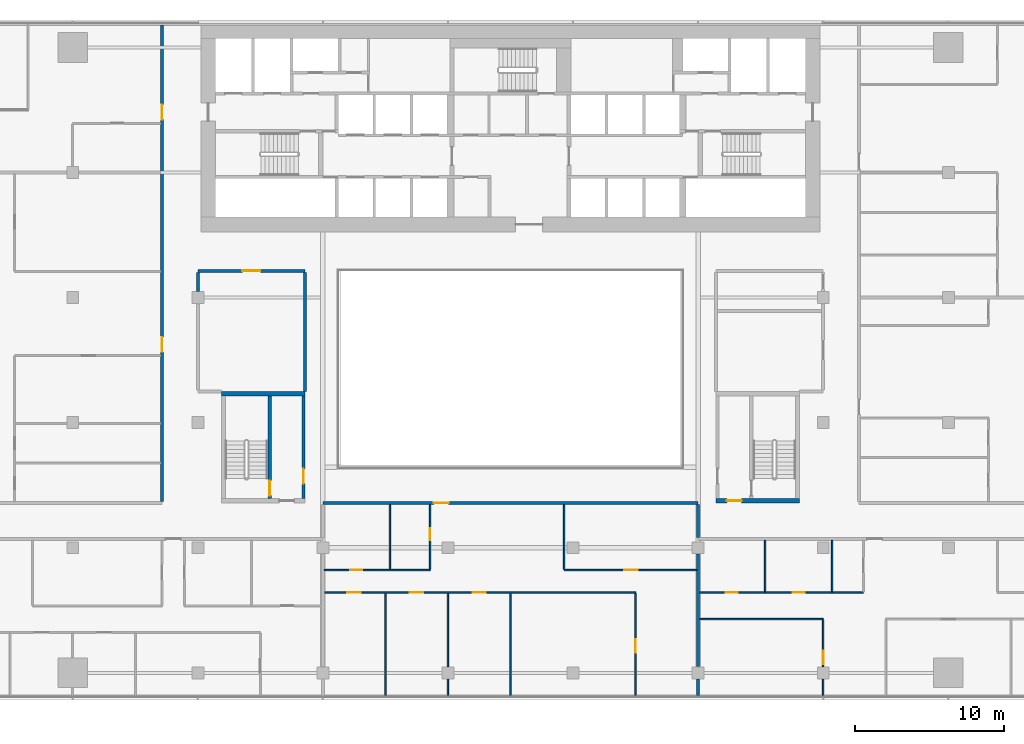
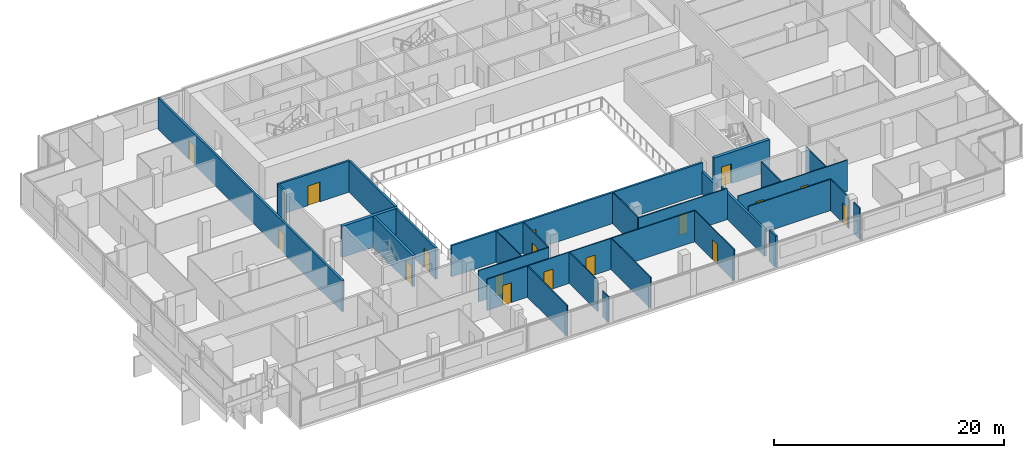
# One storey, part 17 of 27: 29 walls, 17 doors, 17 openings.
"""IFC4 building model written with IfcOpenShell, lengths in metres."""

from ifc_helpers import new_model, si_unit, direction, frame, frame_2d, origin, place, context, subcontext, project, spatial, rectangle, extrude, material, layer, layer_set, type_object, element, fill, save


model = new_model("IFC4")

# Units and contexts
model_context = context("Model", 3, precision=1e-05, world=origin(), true_north=direction((0.0, 1.0)))
body_context = subcontext(model_context, "Body", "Model", "MODEL_VIEW")
ifc_project = project(units=[si_unit("LENGTHUNIT", "METRE"), si_unit("AREAUNIT", "SQUARE_METRE"), si_unit("VOLUMEUNIT", "CUBIC_METRE"), si_unit("PLANEANGLEUNIT", "RADIAN"), si_unit("MASSUNIT", "GRAM", prefix="KILO")], contexts=[model_context])

# Site, building, storey
site_placement = place(None, origin())
site = spatial("IfcSite", under=ifc_project, at=site_placement, CompositionType="ELEMENT")
building_placement = place(site_placement, origin())
building = spatial("IfcBuilding", under=site, at=building_placement, Name="Saffron Gate Tower", CompositionType="ELEMENT")
storey_placement = place(building_placement, frame((0.0, 0.0, 134.85009765625)))
storey = spatial("IfcBuildingStorey", under=building, at=storey_placement, Name="L32", CompositionType="ELEMENT", Elevation=134.85009765625)

# Wall, opening, door
ifc_material_1 = material(Name="Gypsum board partition on steel studs", Category="steel")
ifc_layer_1 = layer(ifc_material_1, 0.199951171875)
ifc_layer_set_1 = layer_set([ifc_layer_1], Name="CW10 Core partition 200")
wall_type_1 = type_object("IfcWallType", Name="CW10 Core partition 200", PredefinedType="PARTITIONING", material=ifc_layer_set_1)
wall_1_placement = place(storey_placement, frame((73.699951171875, 43.5, 0.0), z_axis=(0.0, 0.0, 1.0), x_axis=(0.0, 1.0, 0.0)))
wall_1 = element("IfcWall", 1, at=wall_1_placement, inside=storey, type_object=wall_type_1, Name="Wall CW10-L32-D-4", PredefinedType="PARTITIONING", context=body_context, shape_type="SweptSolid", body=[
    extrude(rectangle(XDim=6.89990234375, YDim=0.199951171875, at=frame_2d((3.449951171875, 0.0))), origin(), (0.0, 0.0, 1.0), 3.31982421875),
])
opening_1_placement = place(wall_1_placement, frame((1.0, 0.0, 0.0)))
opening_1 = element("IfcOpeningElement", 2, at=opening_1_placement, cuts=wall_1, Name="Opening CR-19", PredefinedType="OPENING", context=body_context, shape_type="SweptSolid", body=[
    extrude(rectangle(XDim=1.0, YDim=2.10009765625, at=frame_2d((0.5, 1.050048828125))), frame((0.0, 0.10986328125, 0.0), z_axis=(0.0, -1.0, 0.0), x_axis=(1.0, 0.0, 0.0)), (0.0, 0.0, 1.0), 0.219970703125),
])
ifc_material_2 = material(Name="Steel fire door set", Category="steel")
door_type_1 = type_object("IfcDoorType", Name="CD4 Lobby door 1000x2100 EI 120", OperationType="NOTDEFINED", PredefinedType="DOOR", material=ifc_material_2)
door_1_placement = place(opening_1_placement, origin())
door_1 = element("IfcDoor", 3, at=door_1_placement, inside=storey, type_object=door_type_1, Name="DOOR CR-19", OperationType="SINGLE_SWING_RIGHT", OverallHeight=2.10009765625, OverallWidth=1.0, PredefinedType="DOOR", context=body_context, shape_type="SweptSolid", body=[
    extrude(rectangle(XDim=1.0, YDim=2.10009765625, at=frame_2d((0.5, 1.050048828125))), frame((0.0, 0.02490234375, 0.0), z_axis=(0.0, -1.0, 0.0), x_axis=(1.0, 0.0, 0.0)), (0.0, 0.0, 1.0), 0.050048828125),
])
fill(opening_1, door_1)

ifc_material_3 = material(Name="Concrete C70", Category="concrete")
ifc_layer_2 = layer(ifc_material_3, 0.25)
ifc_layer_set_2 = layer_set([ifc_layer_2], Name="CW2 RC core wall 250 C70")
wall_type_2 = type_object("IfcWallType", Name="CW2 RC core wall 250 C70", PredefinedType="SOLIDWALL", material=ifc_layer_set_2)
wall_2_placement = place(storey_placement, frame((71.425048828125, 43.5, 0.0), z_axis=(0.0, 0.0, 1.0), x_axis=(0.0, 1.0, 0.0)))
wall_2 = element("IfcWall", 4, at=wall_2_placement, inside=storey, type_object=wall_type_2, Name="Wall CW2-L32-D-3", PredefinedType="SOLIDWALL", context=body_context, shape_type="SweptSolid", body=[
    extrude(rectangle(XDim=6.89990234375, YDim=0.25, at=frame_2d((3.449951171875, 0.0))), origin(), (0.0, 0.0, 1.0), 3.31982421875),
])
opening_2_placement = place(wall_2_placement, frame((0.199951171875, 0.0, 0.0)))
opening_2 = element("IfcOpeningElement", 5, at=opening_2_placement, cuts=wall_2, Name="Opening CR-20", PredefinedType="OPENING", context=body_context, shape_type="SweptSolid", body=[
    extrude(rectangle(XDim=1.0, YDim=2.10009765625, at=frame_2d((0.5, 1.050048828125))), frame((0.0, 0.135009765625, 0.0), z_axis=(0.0, -1.0, 0.0), x_axis=(1.0, 0.0, 0.0)), (0.0, 0.0, 1.0), 0.27001953125),
])
door_type_2 = type_object("IfcDoorType", Name="CD5 Stair door 1000x2100 EI 120", OperationType="NOTDEFINED", PredefinedType="DOOR", material=ifc_material_2)
door_2_placement = place(opening_2_placement, origin())
door_2 = element("IfcDoor", 6, at=door_2_placement, inside=storey, type_object=door_type_2, Name="DOOR CR-20", OperationType="SINGLE_SWING_LEFT", OverallHeight=2.10009765625, OverallWidth=1.0, PredefinedType="DOOR", context=body_context, shape_type="SweptSolid", body=[
    extrude(rectangle(XDim=1.0, YDim=2.10009765625, at=frame_2d((0.5, 1.050048828125))), frame((0.0, 0.02490234375, 0.0), z_axis=(0.0, -1.0, 0.0), x_axis=(1.0, 0.0, 0.0)), (0.0, 0.0, 1.0), 0.050048828125),
])
fill(opening_2, door_2)

# Wall
ifc_layer_3 = layer(ifc_material_3, 0.300048828125)
ifc_layer_set_3 = layer_set([ifc_layer_3], Name="CW5 RC core wall 300 C70")
wall_type_3 = type_object("IfcWallType", Name="CW5 RC core wall 300 C70", PredefinedType="SOLIDWALL", material=ifc_layer_set_3)
wall_3_placement = place(storey_placement, frame((68.199951171875, 50.550048828125, 0.0), z_axis=(0.0, 0.0, 1.0), x_axis=(1.0, 0.0, 0.0)))
element("IfcWall", 7, at=wall_3_placement, inside=storey, type_object=wall_type_3, Name="Wall CW5-L32-D-5", PredefinedType="SOLIDWALL", context=body_context, shape_type="SweptSolid", body=[
    extrude(rectangle(XDim=5.60009765625, YDim=0.300048828125, at=frame_2d((2.800048828125, 0.0))), origin(), (0.0, 0.0, 1.0), 3.31982421875),
])

# Wall, opening, door
wall_4_placement = place(storey_placement, frame((101.39990234375, 43.35009765625, 0.0), z_axis=(0.0, 0.0, 1.0), x_axis=(1.0, 0.0, 0.0)))
wall_4 = element("IfcWall", 8, at=wall_4_placement, inside=storey, type_object=wall_type_3, Name="Wall CW5-L32-E-1", PredefinedType="SOLIDWALL", context=body_context, shape_type="SweptSolid", body=[
    extrude(rectangle(XDim=5.60009765625, YDim=0.300048828125, at=frame_2d((2.800048828125, 0.0))), origin(), (0.0, 0.0, 1.0), 3.31982421875),
])
opening_3_placement = place(wall_4_placement, frame((0.72509765625, 0.0, 0.0)))
opening_3 = element("IfcOpeningElement", 9, at=opening_3_placement, cuts=wall_4, Name="Opening CR-21", PredefinedType="OPENING", context=body_context, shape_type="SweptSolid", body=[
    extrude(rectangle(XDim=1.0, YDim=2.10009765625, at=frame_2d((0.5, 1.050048828125))), frame((0.0, 0.16015625, 0.0), z_axis=(0.0, -1.0, 0.0), x_axis=(1.0, 0.0, 0.0)), (0.0, 0.0, 1.0), 0.320068359375),
])
door_3_placement = place(opening_3_placement, origin())
door_3 = element("IfcDoor", 10, at=door_3_placement, inside=storey, type_object=door_type_1, Name="DOOR CR-21", OperationType="SINGLE_SWING_RIGHT", OverallHeight=2.10009765625, OverallWidth=1.0, PredefinedType="DOOR", context=body_context, shape_type="SweptSolid", body=[
    extrude(rectangle(XDim=1.0, YDim=2.10009765625, at=frame_2d((0.5, 1.050048828125))), frame((0.0, 0.02490234375, 0.0), z_axis=(0.0, -1.0, 0.0), x_axis=(1.0, 0.0, 0.0)), (0.0, 0.0, 1.0), 0.050048828125),
])
fill(opening_3, door_3)

# Wall
ifc_material_4 = material(Name="Plasterboard on steel studs", Category="steel")
ifc_layer_4 = layer(ifc_material_4, 0.10009765625)
ifc_layer_set_4 = layer_set([ifc_layer_4], Name="PW1 Partition 100")
wall_type_4 = type_object("IfcWallType", Name="PW1 Partition 100", PredefinedType="PARTITIONING", material=ifc_layer_set_4)
wall_5_placement = place(storey_placement, frame((100.300048828125, 35.39990234375, 0.0), z_axis=(0.0, 0.0, 1.0), x_axis=(1.0, 0.0, 0.0)))
element("IfcWall", 11, at=wall_5_placement, inside=storey, type_object=wall_type_4, Name="Partition B4-2", PredefinedType="PARTITIONING", context=body_context, shape_type="SweptSolid", body=[
    extrude(rectangle(XDim=8.300048828125, YDim=0.10009765625, at=frame_2d((4.14990234375, 0.0))), origin(), (0.0, 0.0, 1.0), 3.31982421875),
])

# Wall, openings, doors
wall_6_placement = place(storey_placement, frame((96.0, 37.199951171875, 0.0), z_axis=(0.0, 0.0, 1.0), x_axis=(-1.0, 0.0, 0.0)))
wall_6 = element("IfcWall", 12, at=wall_6_placement, inside=storey, type_object=wall_type_4, Name="Partition B4-6", PredefinedType="PARTITIONING", context=body_context, shape_type="SweptSolid", body=[
    extrude(rectangle(XDim=20.89990234375, YDim=0.10009765625, at=frame_2d((10.449951171875, 0.0))), origin(), (0.0, 0.0, 1.0), 3.31982421875),
])
opening_4_placement = place(wall_6_placement, frame((10.050048828125, 0.0, 0.0)))
opening_4 = element("IfcOpeningElement", 13, at=opening_4_placement, cuts=wall_6, Name="Opening B4-15", PredefinedType="OPENING", context=body_context, shape_type="SweptSolid", body=[
    extrude(rectangle(XDim=0.89990234375, YDim=2.10009765625, at=frame_2d((0.449951171875, 1.050048828125))), frame((0.0, 0.06005859375, 0.0), z_axis=(0.0, -1.0, 0.0), x_axis=(1.0, 0.0, 0.0)), (0.0, 0.0, 1.0), 0.1201171875),
])
opening_5_placement = place(wall_6_placement, frame((14.25, 0.0, 0.0)))
opening_5 = element("IfcOpeningElement", 14, at=opening_5_placement, cuts=wall_6, Name="Opening B4-14", PredefinedType="OPENING", context=body_context, shape_type="SweptSolid", body=[
    extrude(rectangle(XDim=0.89990234375, YDim=2.10009765625, at=frame_2d((0.449951171875, 1.050048828125))), frame((0.0, 0.06005859375, 0.0), z_axis=(0.0, -1.0, 0.0), x_axis=(1.0, 0.0, 0.0)), (0.0, 0.0, 1.0), 0.1201171875),
])
opening_6_placement = place(wall_6_placement, frame((18.449951171875, 0.0, 0.0)))
opening_6 = element("IfcOpeningElement", 15, at=opening_6_placement, cuts=wall_6, Name="Opening B4-13", PredefinedType="OPENING", context=body_context, shape_type="SweptSolid", body=[
    extrude(rectangle(XDim=0.89990234375, YDim=2.10009765625, at=frame_2d((0.449951171875, 1.050048828125))), frame((0.0, 0.06005859375, 0.0), z_axis=(0.0, -1.0, 0.0), x_axis=(1.0, 0.0, 0.0)), (0.0, 0.0, 1.0), 0.1201171875),
])
ifc_material_5 = material(Name="Timber door set", Category="wood")
door_type_3 = type_object("IfcDoorType", Name="RD1 Room door 900x2100", OperationType="NOTDEFINED", PredefinedType="DOOR", material=ifc_material_5)
door_4_placement = place(opening_4_placement, origin())
door_4 = element("IfcDoor", 16, at=door_4_placement, inside=storey, type_object=door_type_3, Name="Door B4-15", OperationType="SINGLE_SWING_RIGHT", OverallHeight=2.10009765625, OverallWidth=0.89990234375, PredefinedType="DOOR", context=body_context, shape_type="SweptSolid", body=[
    extrude(rectangle(XDim=0.89990234375, YDim=2.10009765625, at=frame_2d((0.449951171875, 1.050048828125))), frame((0.0, 0.02490234375, 0.0), z_axis=(0.0, -1.0, 0.0), x_axis=(1.0, 0.0, 0.0)), (0.0, 0.0, 1.0), 0.050048828125),
])
fill(opening_4, door_4)
door_5_placement = place(opening_5_placement, origin())
door_5 = element("IfcDoor", 17, at=door_5_placement, inside=storey, type_object=door_type_3, Name="Door B4-14", OperationType="SINGLE_SWING_RIGHT", OverallHeight=2.10009765625, OverallWidth=0.89990234375, PredefinedType="DOOR", context=body_context, shape_type="SweptSolid", body=[
    extrude(rectangle(XDim=0.89990234375, YDim=2.10009765625, at=frame_2d((0.449951171875, 1.050048828125))), frame((0.0, 0.02490234375, 0.0), z_axis=(0.0, -1.0, 0.0), x_axis=(1.0, 0.0, 0.0)), (0.0, 0.0, 1.0), 0.050048828125),
])
fill(opening_5, door_5)
door_6_placement = place(opening_6_placement, origin())
door_6 = element("IfcDoor", 18, at=door_6_placement, inside=storey, type_object=door_type_3, Name="Door B4-13", OperationType="SINGLE_SWING_RIGHT", OverallHeight=2.10009765625, OverallWidth=0.89990234375, PredefinedType="DOOR", context=body_context, shape_type="SweptSolid", body=[
    extrude(rectangle(XDim=0.89990234375, YDim=2.10009765625, at=frame_2d((0.449951171875, 1.050048828125))), frame((0.0, 0.02490234375, 0.0), z_axis=(0.0, -1.0, 0.0), x_axis=(1.0, 0.0, 0.0)), (0.0, 0.0, 1.0), 0.050048828125),
])
fill(opening_6, door_6)

wall_7_placement = place(storey_placement, frame((100.300048828125, 37.199951171875, 0.0), z_axis=(0.0, 0.0, 1.0), x_axis=(1.0, 0.0, 0.0)))
wall_7 = element("IfcWall", 19, at=wall_7_placement, inside=storey, type_object=wall_type_4, Name="Partition B4-7", PredefinedType="PARTITIONING", context=body_context, shape_type="SweptSolid", body=[
    extrude(rectangle(XDim=11.0, YDim=0.10009765625, at=frame_2d((5.5, 0.0))), origin(), (0.0, 0.0, 1.0), 3.31982421875),
])
opening_7_placement = place(wall_7_placement, frame((1.75, 0.0, 0.0)))
opening_7 = element("IfcOpeningElement", 20, at=opening_7_placement, cuts=wall_7, Name="Opening B4-40", PredefinedType="OPENING", context=body_context, shape_type="SweptSolid", body=[
    extrude(rectangle(XDim=0.800048828125, YDim=2.10009765625, at=frame_2d((0.39990234375, 1.050048828125))), frame((0.0, 0.06005859375, 0.0), z_axis=(0.0, -1.0, 0.0), x_axis=(1.0, 0.0, 0.0)), (0.0, 0.0, 1.0), 0.1201171875),
])
opening_8_placement = place(wall_7_placement, frame((6.25, 0.0, 0.0)))
opening_8 = element("IfcOpeningElement", 21, at=opening_8_placement, cuts=wall_7, Name="Opening B4-41", PredefinedType="OPENING", context=body_context, shape_type="SweptSolid", body=[
    extrude(rectangle(XDim=0.800048828125, YDim=2.10009765625, at=frame_2d((0.39990234375, 1.050048828125))), frame((0.0, 0.06005859375, 0.0), z_axis=(0.0, -1.0, 0.0), x_axis=(1.0, 0.0, 0.0)), (0.0, 0.0, 1.0), 0.1201171875),
])
door_type_4 = type_object("IfcDoorType", Name="RD2 Bathroom door 800x2100", OperationType="NOTDEFINED", PredefinedType="DOOR", material=ifc_material_5)
door_7_placement = place(opening_7_placement, origin())
door_7 = element("IfcDoor", 22, at=door_7_placement, inside=storey, type_object=door_type_4, Name="Door B4-40", OperationType="SINGLE_SWING_LEFT", OverallHeight=2.10009765625, OverallWidth=0.800048828125, PredefinedType="DOOR", context=body_context, shape_type="SweptSolid", body=[
    extrude(rectangle(XDim=0.800048828125, YDim=2.10009765625, at=frame_2d((0.39990234375, 1.050048828125))), frame((0.0, 0.02490234375, 0.0), z_axis=(0.0, -1.0, 0.0), x_axis=(1.0, 0.0, 0.0)), (0.0, 0.0, 1.0), 0.050048828125),
])
fill(opening_7, door_7)
door_8_placement = place(opening_8_placement, origin())
door_8 = element("IfcDoor", 23, at=door_8_placement, inside=storey, type_object=door_type_4, Name="Door B4-41", OperationType="SINGLE_SWING_RIGHT", OverallHeight=2.10009765625, OverallWidth=0.800048828125, PredefinedType="DOOR", context=body_context, shape_type="SweptSolid", body=[
    extrude(rectangle(XDim=0.800048828125, YDim=2.10009765625, at=frame_2d((0.39990234375, 1.050048828125))), frame((0.0, 0.02490234375, 0.0), z_axis=(0.0, -1.0, 0.0), x_axis=(1.0, 0.0, 0.0)), (0.0, 0.0, 1.0), 0.050048828125),
])
fill(opening_8, door_8)

# Wall, opening, door
wall_8_placement = place(storey_placement, frame((75.10009765625, 38.699951171875, 0.0), z_axis=(0.0, 0.0, 1.0), x_axis=(1.0, 0.0, 0.0)))
wall_8 = element("IfcWall", 24, at=wall_8_placement, inside=storey, type_object=wall_type_4, Name="Partition B4-9", PredefinedType="PARTITIONING", context=body_context, shape_type="SweptSolid", body=[
    extrude(rectangle(XDim=7.099853515625, YDim=0.10009765625, at=frame_2d((3.5498046875, 0.0))), origin(), (0.0, 0.0, 1.0), 3.31982421875),
])
opening_9_placement = place(wall_8_placement, frame((1.75, 0.0, 0.0)))
opening_9 = element("IfcOpeningElement", 25, at=opening_9_placement, cuts=wall_8, Name="Opening B4-38", PredefinedType="OPENING", context=body_context, shape_type="SweptSolid", body=[
    extrude(rectangle(XDim=0.800048828125, YDim=2.10009765625, at=frame_2d((0.39990234375, 1.050048828125))), frame((0.0, 0.06005859375, 0.0), z_axis=(0.0, -1.0, 0.0), x_axis=(1.0, 0.0, 0.0)), (0.0, 0.0, 1.0), 0.1201171875),
])
door_9_placement = place(opening_9_placement, origin())
door_9 = element("IfcDoor", 26, at=door_9_placement, inside=storey, type_object=door_type_4, Name="Door B4-38", OperationType="SINGLE_SWING_LEFT", OverallHeight=2.10009765625, OverallWidth=0.800048828125, PredefinedType="DOOR", context=body_context, shape_type="SweptSolid", body=[
    extrude(rectangle(XDim=0.800048828125, YDim=2.10009765625, at=frame_2d((0.39990234375, 1.050048828125))), frame((0.0, 0.02490234375, 0.0), z_axis=(0.0, -1.0, 0.0), x_axis=(1.0, 0.0, 0.0)), (0.0, 0.0, 1.0), 0.050048828125),
])
fill(opening_9, door_9)

wall_9_placement = place(storey_placement, frame((91.199951171875, 38.699951171875, 0.0), z_axis=(0.0, 0.0, 1.0), x_axis=(1.0, 0.0, 0.0)))
wall_9 = element("IfcWall", 27, at=wall_9_placement, inside=storey, type_object=wall_type_4, Name="Partition B4-10", PredefinedType="PARTITIONING", context=body_context, shape_type="SweptSolid", body=[
    extrude(rectangle(XDim=8.900146484375, YDim=0.10009765625, at=frame_2d((4.4501953125, 0.0))), origin(), (0.0, 0.0, 1.0), 3.31982421875),
])
opening_10_placement = place(wall_9_placement, frame((4.050048828125, 0.0, 0.0)))
opening_10 = element("IfcOpeningElement", 28, at=opening_10_placement, cuts=wall_9, Name="Opening B4-17", PredefinedType="OPENING", context=body_context, shape_type="SweptSolid", body=[
    extrude(rectangle(XDim=0.89990234375, YDim=2.10009765625, at=frame_2d((0.449951171875, 1.050048828125))), frame((0.0, 0.06005859375, 0.0), z_axis=(0.0, -1.0, 0.0), x_axis=(1.0, 0.0, 0.0)), (0.0, 0.0, 1.0), 0.1201171875),
])
door_10_placement = place(opening_10_placement, origin())
door_10 = element("IfcDoor", 29, at=door_10_placement, inside=storey, type_object=door_type_3, Name="Door B4-17", OperationType="SINGLE_SWING_RIGHT", OverallHeight=2.10009765625, OverallWidth=0.89990234375, PredefinedType="DOOR", context=body_context, shape_type="SweptSolid", body=[
    extrude(rectangle(XDim=0.89990234375, YDim=2.10009765625, at=frame_2d((0.449951171875, 1.050048828125))), frame((0.0, 0.02490234375, 0.0), z_axis=(0.0, -1.0, 0.0), x_axis=(1.0, 0.0, 0.0)), (0.0, 0.0, 1.0), 0.050048828125),
])
fill(opening_10, door_10)

# Walls
wall_10_placement = place(storey_placement, frame((79.199951171875, 37.14990234375, 0.0), z_axis=(0.0, 0.0, 1.0), x_axis=(0.0, -1.0, 0.0)))
element("IfcWall", 30, at=wall_10_placement, inside=storey, type_object=wall_type_4, Name="Partition B4-74", PredefinedType="PARTITIONING", context=body_context, shape_type="SweptSolid", body=[
    extrude(rectangle(XDim=6.869873046875, YDim=0.10009765625, at=frame_2d((3.43505859375, 0.0))), origin(), (0.0, 0.0, 1.0), 3.31982421875),
])
wall_11_placement = place(storey_placement, frame((79.5, 43.10009765625, 0.0), z_axis=(0.0, 0.0, 1.0), x_axis=(0.0, -1.0, 0.0)))
element("IfcWall", 31, at=wall_11_placement, inside=storey, type_object=wall_type_4, Name="Partition B4-75", PredefinedType="PARTITIONING", context=body_context, shape_type="SweptSolid", body=[
    extrude(rectangle(XDim=4.35009765625, YDim=0.10009765625, at=frame_2d((2.175048828125, 0.0))), origin(), (0.0, 0.0, 1.0), 3.31982421875),
])

# Wall, opening, door
wall_12_placement = place(storey_placement, frame((82.199951171875, 38.75, 0.0), z_axis=(0.0, 0.0, 1.0), x_axis=(0.0, 1.0, 0.0)))
wall_12 = element("IfcWall", 32, at=wall_12_placement, inside=storey, type_object=wall_type_4, Name="Partition B4-76", PredefinedType="PARTITIONING", context=body_context, shape_type="SweptSolid", body=[
    extrude(rectangle(XDim=4.35009765625, YDim=0.10009765625, at=frame_2d((2.175048828125, 0.0))), origin(), (0.0, 0.0, 1.0), 3.31982421875),
])
opening_11_placement = place(wall_12_placement, frame((1.949951171875, 0.0, 0.0)))
opening_11 = element("IfcOpeningElement", 33, at=opening_11_placement, cuts=wall_12, Name="Opening B4-39", PredefinedType="OPENING", context=body_context, shape_type="SweptSolid", body=[
    extrude(rectangle(XDim=0.800048828125, YDim=2.10009765625, at=frame_2d((0.39990234375, 1.050048828125))), frame((0.0, 0.06005859375, 0.0), z_axis=(0.0, -1.0, 0.0), x_axis=(1.0, 0.0, 0.0)), (0.0, 0.0, 1.0), 0.1201171875),
])
door_11_placement = place(opening_11_placement, origin())
door_11 = element("IfcDoor", 34, at=door_11_placement, inside=storey, type_object=door_type_4, Name="Door B4-39", OperationType="SINGLE_SWING_RIGHT", OverallHeight=2.10009765625, OverallWidth=0.800048828125, PredefinedType="DOOR", context=body_context, shape_type="SweptSolid", body=[
    extrude(rectangle(XDim=0.800048828125, YDim=2.10009765625, at=frame_2d((0.39990234375, 1.050048828125))), frame((0.0, 0.02490234375, 0.0), z_axis=(0.0, -1.0, 0.0), x_axis=(1.0, 0.0, 0.0)), (0.0, 0.0, 1.0), 0.050048828125),
])
fill(opening_11, door_11)

# Walls
wall_13_placement = place(storey_placement, frame((83.39990234375, 31.3798828125, 0.0), z_axis=(0.0, 0.0, 1.0), x_axis=(0.0, -1.0, 0.0)))
element("IfcWall", 35, at=wall_13_placement, inside=storey, type_object=wall_type_4, Name="Partition B4-77", PredefinedType="PARTITIONING", context=body_context, shape_type="SweptSolid", body=[
    extrude(rectangle(XDim=1.099853515625, YDim=0.10009765625, at=frame_2d((0.5498046875, 0.0))), origin(), (0.0, 0.0, 1.0), 2.719970703125),
])
wall_14_placement = place(storey_placement, frame((83.39990234375, 37.14990234375, 0.0), z_axis=(0.0, 0.0, 1.0), x_axis=(0.0, -1.0, 0.0)))
element("IfcWall", 36, at=wall_14_placement, inside=storey, type_object=wall_type_4, Name="Partition B4-78", PredefinedType="PARTITIONING", context=body_context, shape_type="SweptSolid", body=[
    extrude(rectangle(XDim=4.929931640625, YDim=0.10009765625, at=frame_2d((2.46484375, 0.0))), origin(), (0.0, 0.0, 1.0), 3.31982421875),
])
wall_15_placement = place(storey_placement, frame((87.60009765625, 37.14990234375, 0.0), z_axis=(0.0, 0.0, 1.0), x_axis=(0.0, -1.0, 0.0)))
element("IfcWall", 37, at=wall_15_placement, inside=storey, type_object=wall_type_4, Name="Partition B4-79", PredefinedType="PARTITIONING", context=body_context, shape_type="SweptSolid", body=[
    extrude(rectangle(XDim=6.869873046875, YDim=0.10009765625, at=frame_2d((3.43505859375, 0.0))), origin(), (0.0, 0.0, 1.0), 3.31982421875),
])
wall_16_placement = place(storey_placement, frame((91.199951171875, 43.10009765625, 0.0), z_axis=(0.0, 0.0, 1.0), x_axis=(0.0, -1.0, 0.0)))
element("IfcWall", 38, at=wall_16_placement, inside=storey, type_object=wall_type_4, Name="Partition B4-80", PredefinedType="PARTITIONING", context=body_context, shape_type="SweptSolid", body=[
    extrude(rectangle(XDim=4.35009765625, YDim=0.10009765625, at=frame_2d((2.175048828125, 0.0))), origin(), (0.0, 0.0, 1.0), 3.31982421875),
])

# Wall, opening, door
wall_17_placement = place(storey_placement, frame((96.0, 30.280029296875, 0.0), z_axis=(0.0, 0.0, 1.0), x_axis=(0.0, 1.0, 0.0)))
wall_17 = element("IfcWall", 39, at=wall_17_placement, inside=storey, type_object=wall_type_4, Name="Partition B4-81", PredefinedType="PARTITIONING", context=body_context, shape_type="SweptSolid", body=[
    extrude(rectangle(XDim=6.869873046875, YDim=0.10009765625, at=frame_2d((3.43505859375, 0.0))), origin(), (0.0, 0.0, 1.0), 3.31982421875),
])
opening_12_placement = place(wall_17_placement, frame((2.8701171875, 0.0, 0.0)))
opening_12 = element("IfcOpeningElement", 40, at=opening_12_placement, cuts=wall_17, Name="Opening B4-16", PredefinedType="OPENING", context=body_context, shape_type="SweptSolid", body=[
    extrude(rectangle(XDim=0.89990234375, YDim=2.10009765625, at=frame_2d((0.449951171875, 1.050048828125))), frame((0.0, 0.06005859375, 0.0), z_axis=(0.0, -1.0, 0.0), x_axis=(1.0, 0.0, 0.0)), (0.0, 0.0, 1.0), 0.1201171875),
])
door_12_placement = place(opening_12_placement, origin())
door_12 = element("IfcDoor", 41, at=door_12_placement, inside=storey, type_object=door_type_3, Name="Door B4-16", OperationType="SINGLE_SWING_LEFT", OverallHeight=2.10009765625, OverallWidth=0.89990234375, PredefinedType="DOOR", context=body_context, shape_type="SweptSolid", body=[
    extrude(rectangle(XDim=0.89990234375, YDim=2.10009765625, at=frame_2d((0.449951171875, 1.050048828125))), frame((0.0, 0.02490234375, 0.0), z_axis=(0.0, -1.0, 0.0), x_axis=(1.0, 0.0, 0.0)), (0.0, 0.0, 1.0), 0.050048828125),
])
fill(opening_12, door_12)

# Walls
wall_18_placement = place(storey_placement, frame((104.699951171875, 40.699951171875, 0.0), z_axis=(0.0, 0.0, 1.0), x_axis=(0.0, -1.0, 0.0)))
element("IfcWall", 42, at=wall_18_placement, inside=storey, type_object=wall_type_4, Name="Partition B4-86", PredefinedType="PARTITIONING", context=body_context, shape_type="SweptSolid", body=[
    extrude(rectangle(XDim=3.449951171875, YDim=0.10009765625, at=frame_2d((1.72509765625, 0.0))), origin(), (0.0, 0.0, 1.0), 3.31982421875),
])
wall_19_placement = place(storey_placement, frame((108.60009765625, 31.3798828125, 0.0), z_axis=(0.0, 0.0, 1.0), x_axis=(0.0, -1.0, 0.0)))
element("IfcWall", 43, at=wall_19_placement, inside=storey, type_object=wall_type_4, Name="Partition B4-89", PredefinedType="PARTITIONING", context=body_context, shape_type="SweptSolid", body=[
    extrude(rectangle(XDim=1.099853515625, YDim=0.10009765625, at=frame_2d((0.5498046875, 0.0))), origin(), (0.0, 0.0, 1.0), 3.31982421875),
])

# Wall, opening, door
wall_20_placement = place(storey_placement, frame((108.60009765625, 32.219970703125, 0.0), z_axis=(0.0, 0.0, 1.0), x_axis=(0.0, 1.0, 0.0)))
wall_20 = element("IfcWall", 44, at=wall_20_placement, inside=storey, type_object=wall_type_4, Name="Partition B4-90", PredefinedType="PARTITIONING", context=body_context, shape_type="SweptSolid", body=[
    extrude(rectangle(XDim=3.130126953125, YDim=0.10009765625, at=frame_2d((1.56494140625, 0.0))), origin(), (0.0, 0.0, 1.0), 3.31982421875),
])
opening_13_placement = place(wall_20_placement, frame((0.14990234375, 0.0, 0.0)))
opening_13 = element("IfcOpeningElement", 45, at=opening_13_placement, cuts=wall_20, Name="Opening B4-18", PredefinedType="OPENING", context=body_context, shape_type="SweptSolid", body=[
    extrude(rectangle(XDim=0.89990234375, YDim=2.10009765625, at=frame_2d((0.449951171875, 1.050048828125))), frame((0.0, 0.06005859375, 0.0), z_axis=(0.0, -1.0, 0.0), x_axis=(1.0, 0.0, 0.0)), (0.0, 0.0, 1.0), 0.1201171875),
])
door_13_placement = place(opening_13_placement, origin())
door_13 = element("IfcDoor", 46, at=door_13_placement, inside=storey, type_object=door_type_3, Name="Door B4-18", OperationType="SINGLE_SWING_LEFT", OverallHeight=2.10009765625, OverallWidth=0.89990234375, PredefinedType="DOOR", context=body_context, shape_type="SweptSolid", body=[
    extrude(rectangle(XDim=0.89990234375, YDim=2.10009765625, at=frame_2d((0.449951171875, 1.050048828125))), frame((0.0, 0.02490234375, 0.0), z_axis=(0.0, -1.0, 0.0), x_axis=(1.0, 0.0, 0.0)), (0.0, 0.0, 1.0), 0.050048828125),
])
fill(opening_13, door_13)

# Walls
wall_21_placement = place(storey_placement, frame((109.199951171875, 40.699951171875, 0.0), z_axis=(0.0, 0.0, 1.0), x_axis=(0.0, -1.0, 0.0)))
element("IfcWall", 47, at=wall_21_placement, inside=storey, type_object=wall_type_4, Name="Partition B4-91", PredefinedType="PARTITIONING", context=body_context, shape_type="SweptSolid", body=[
    extrude(rectangle(XDim=3.449951171875, YDim=0.10009765625, at=frame_2d((1.72509765625, 0.0))), origin(), (0.0, 0.0, 1.0), 3.31982421875),
])
ifc_material_6 = material(Name="Clay brick masonry, rendered", Category="masonry")
ifc_layer_5 = layer(ifc_material_6, 0.199951171875)
ifc_layer_set_5 = layer_set([ifc_layer_5], Name="PW2 Demising wall 200")
wall_type_5 = type_object("IfcWallType", Name="PW2 Demising wall 200", PredefinedType="PARTITIONING", material=ifc_layer_set_5)
wall_22_placement = place(storey_placement, frame((100.199951171875, 31.3798828125, 0.0), z_axis=(0.0, 0.0, 1.0), x_axis=(0.0, -1.0, 0.0)))
element("IfcWall", 48, at=wall_22_placement, inside=storey, type_object=wall_type_5, Name="Wall B4-83", PredefinedType="PARTITIONING", context=body_context, shape_type="SweptSolid", body=[
    extrude(rectangle(XDim=1.099853515625, YDim=0.199951171875, at=frame_2d((0.5498046875, 0.0))), origin(), (0.0, 0.0, 1.0), 3.31982421875),
])
wall_23_placement = place(storey_placement, frame((100.199951171875, 39.780029296875, 0.0), z_axis=(0.0, 0.0, 1.0), x_axis=(0.0, -1.0, 0.0)))
element("IfcWall", 49, at=wall_23_placement, inside=storey, type_object=wall_type_5, Name="Wall B4-84", PredefinedType="PARTITIONING", context=body_context, shape_type="SweptSolid", body=[
    extrude(rectangle(XDim=7.56005859375, YDim=0.199951171875, at=frame_2d((3.780029296875, 0.0))), origin(), (0.0, 0.0, 1.0), 2.829833984375),
])

# Wall, opening, door
ifc_layer_6 = layer(ifc_material_6, 0.199951171875)
ifc_layer_set_6 = layer_set([ifc_layer_6], Name="PW3 Corridor wall 200")
wall_type_6 = type_object("IfcWallType", Name="PW3 Corridor wall 200", PredefinedType="PARTITIONING", material=ifc_layer_set_6)
wall_24_placement = place(storey_placement, frame((100.199951171875, 43.199951171875, 0.0), z_axis=(0.0, 0.0, 1.0), x_axis=(-1.0, 0.0, 0.0)))
wall_24 = element("IfcWall", 50, at=wall_24_placement, inside=storey, type_object=wall_type_6, Name="Wall B4-16", PredefinedType="PARTITIONING", context=body_context, shape_type="SweptSolid", body=[
    extrude(rectangle(XDim=25.199951171875, YDim=0.199951171875, at=frame_2d((12.60009765625, 0.0))), origin(), (0.0, 0.0, 1.0), 3.31982421875),
])
opening_14_placement = place(wall_24_placement, frame((16.75, 0.0, 0.0)))
opening_14 = element("IfcOpeningElement", 51, at=opening_14_placement, cuts=wall_24, Name="Opening B4-2", PredefinedType="OPENING", context=body_context, shape_type="SweptSolid", body=[
    extrude(rectangle(XDim=1.0, YDim=2.10009765625, at=frame_2d((0.5, 1.050048828125))), frame((0.0, 0.10986328125, 0.0), z_axis=(0.0, -1.0, 0.0), x_axis=(1.0, 0.0, 0.0)), (0.0, 0.0, 1.0), 0.219970703125),
])
ifc_material_7 = material(Name="Timber fire door set", Category="wood")
door_type_5 = type_object("IfcDoorType", Name="FD1 Flat entry door 1000x2100", OperationType="NOTDEFINED", PredefinedType="DOOR", material=ifc_material_7)
door_14_placement = place(opening_14_placement, origin())
door_14 = element("IfcDoor", 52, at=door_14_placement, inside=storey, type_object=door_type_5, Name="Door B4-2", OperationType="SINGLE_SWING_RIGHT", OverallHeight=2.10009765625, OverallWidth=1.0, PredefinedType="DOOR", context=body_context, shape_type="SweptSolid", body=[
    extrude(rectangle(XDim=1.0, YDim=2.10009765625, at=frame_2d((0.5, 1.050048828125))), frame((0.0, 0.02490234375, 0.0), z_axis=(0.0, -1.0, 0.0), x_axis=(1.0, 0.0, 0.0)), (0.0, 0.0, 1.0), 0.050048828125),
])
fill(opening_14, door_14)

wall_25_placement = place(storey_placement, frame((73.800048828125, 58.800048828125, 0.0), z_axis=(0.0, 0.0, 1.0), x_axis=(-1.0, 0.0, 0.0)))
wall_25 = element("IfcWall", 53, at=wall_25_placement, inside=storey, type_object=wall_type_6, Name="Wall B4-39", PredefinedType="PARTITIONING", context=body_context, shape_type="SweptSolid", body=[
    extrude(rectangle(XDim=7.199951171875, YDim=0.199951171875, at=frame_2d((3.60009765625, 0.0))), origin(), (0.0, 0.0, 1.0), 3.31982421875),
])
opening_15_placement = place(wall_25_placement, frame((3.0, 0.0, 0.0)))
opening_15 = element("IfcOpeningElement", 54, at=opening_15_placement, cuts=wall_25, Name="Opening B4-49", PredefinedType="OPENING", context=body_context, shape_type="SweptSolid", body=[
    extrude(rectangle(XDim=1.199951171875, YDim=2.10009765625, at=frame_2d((0.60009765625, 1.050048828125))), frame((0.0, 0.10986328125, 0.0), z_axis=(0.0, -1.0, 0.0), x_axis=(1.0, 0.0, 0.0)), (0.0, 0.0, 1.0), 0.219970703125),
])
door_type_6 = type_object("IfcDoorType", Name="HD1 Hall door 1200x2100", OperationType="NOTDEFINED", PredefinedType="DOOR", material=ifc_material_5)
door_15_placement = place(opening_15_placement, origin())
door_15 = element("IfcDoor", 55, at=door_15_placement, inside=storey, type_object=door_type_6, Name="Door B4-49", OperationType="SINGLE_SWING_LEFT", OverallHeight=2.10009765625, OverallWidth=1.199951171875, PredefinedType="DOOR", context=body_context, shape_type="SweptSolid", body=[
    extrude(rectangle(XDim=1.199951171875, YDim=2.10009765625, at=frame_2d((0.60009765625, 1.050048828125))), frame((0.0, 0.02490234375, 0.0), z_axis=(0.0, -1.0, 0.0), x_axis=(1.0, 0.0, 0.0)), (0.0, 0.0, 1.0), 0.050048828125),
])
fill(opening_15, door_15)

# Wall, openings, doors
wall_26_placement = place(storey_placement, frame((64.199951171875, 43.300048828125, 0.0), z_axis=(0.0, 0.0, 1.0), x_axis=(0.0, 1.0, 0.0)))
wall_26 = element("IfcWall", 56, at=wall_26_placement, inside=storey, type_object=wall_type_6, Name="Wall B4-63", PredefinedType="PARTITIONING", context=body_context, shape_type="SweptSolid", body=[
    extrude(rectangle(XDim=32.02001953125, YDim=0.199951171875, at=frame_2d((16.010009765625, 0.0))), origin(), (0.0, 0.0, 1.0), 3.31982421875),
])
opening_16_placement = place(wall_26_placement, frame((10.050048828125, 0.0, 0.0)))
opening_16 = element("IfcOpeningElement", 57, at=opening_16_placement, cuts=wall_26, Name="Opening B4-4", PredefinedType="OPENING", context=body_context, shape_type="SweptSolid", body=[
    extrude(rectangle(XDim=1.0, YDim=2.10009765625, at=frame_2d((0.5, 1.050048828125))), frame((0.0, 0.10986328125, 0.0), z_axis=(0.0, -1.0, 0.0), x_axis=(1.0, 0.0, 0.0)), (0.0, 0.0, 1.0), 0.219970703125),
])
opening_17_placement = place(wall_26_placement, frame((25.64990234375, 0.0, 0.0)))
opening_17 = element("IfcOpeningElement", 58, at=opening_17_placement, cuts=wall_26, Name="Opening B4-5", PredefinedType="OPENING", context=body_context, shape_type="SweptSolid", body=[
    extrude(rectangle(XDim=1.0, YDim=2.10009765625, at=frame_2d((0.5, 1.050048828125))), frame((0.0, 0.10986328125, 0.0), z_axis=(0.0, -1.0, 0.0), x_axis=(1.0, 0.0, 0.0)), (0.0, 0.0, 1.0), 0.219970703125),
])
door_16_placement = place(opening_16_placement, origin())
door_16 = element("IfcDoor", 59, at=door_16_placement, inside=storey, type_object=door_type_5, Name="Door B4-4", OperationType="SINGLE_SWING_RIGHT", OverallHeight=2.10009765625, OverallWidth=1.0, PredefinedType="DOOR", context=body_context, shape_type="SweptSolid", body=[
    extrude(rectangle(XDim=1.0, YDim=2.10009765625, at=frame_2d((0.5, 1.050048828125))), frame((0.0, 0.02490234375, 0.0), z_axis=(0.0, -1.0, 0.0), x_axis=(1.0, 0.0, 0.0)), (0.0, 0.0, 1.0), 0.050048828125),
])
fill(opening_16, door_16)
door_17_placement = place(opening_17_placement, origin())
door_17 = element("IfcDoor", 60, at=door_17_placement, inside=storey, type_object=door_type_5, Name="Door B4-5", OperationType="SINGLE_SWING_LEFT", OverallHeight=2.10009765625, OverallWidth=1.0, PredefinedType="DOOR", context=body_context, shape_type="SweptSolid", body=[
    extrude(rectangle(XDim=1.0, YDim=2.10009765625, at=frame_2d((0.5, 1.050048828125))), frame((0.0, 0.02490234375, 0.0), z_axis=(0.0, -1.0, 0.0), x_axis=(1.0, 0.0, 0.0)), (0.0, 0.0, 1.0), 0.050048828125),
])
fill(opening_17, door_17)

# Walls
wall_27_placement = place(storey_placement, frame((66.60009765625, 58.699951171875, 0.0), z_axis=(0.0, 0.0, 1.0), x_axis=(0.0, -1.0, 0.0)))
element("IfcWall", 61, at=wall_27_placement, inside=storey, type_object=wall_type_6, Name="Wall B4-67", PredefinedType="PARTITIONING", context=body_context, shape_type="SweptSolid", body=[
    extrude(rectangle(XDim=1.280029296875, YDim=0.199951171875, at=frame_2d((0.64013671875, 0.0))), origin(), (0.0, 0.0, 1.0), 3.31982421875),
])
wall_28_placement = place(storey_placement, frame((73.800048828125, 58.699951171875, 0.0), z_axis=(0.0, 0.0, 1.0), x_axis=(0.0, -1.0, 0.0)))
element("IfcWall", 62, at=wall_28_placement, inside=storey, type_object=wall_type_6, Name="Wall B4-70", PredefinedType="PARTITIONING", context=body_context, shape_type="SweptSolid", body=[
    extrude(rectangle(XDim=8.0, YDim=0.199951171875, at=frame_2d((4.0, 0.0))), origin(), (0.0, 0.0, 1.0), 3.31982421875),
])
wall_29_placement = place(storey_placement, frame((100.199951171875, 43.10009765625, 0.0), z_axis=(0.0, 0.0, 1.0), x_axis=(0.0, -1.0, 0.0)))
element("IfcWall", 63, at=wall_29_placement, inside=storey, type_object=wall_type_6, Name="Wall B4-82", PredefinedType="PARTITIONING", context=body_context, shape_type="SweptSolid", body=[
    extrude(rectangle(XDim=2.2001953125, YDim=0.199951171875, at=frame_2d((1.10009765625, 0.0))), origin(), (0.0, 0.0, 1.0), 2.429931640625),
])

save(model, "model.ifc")
